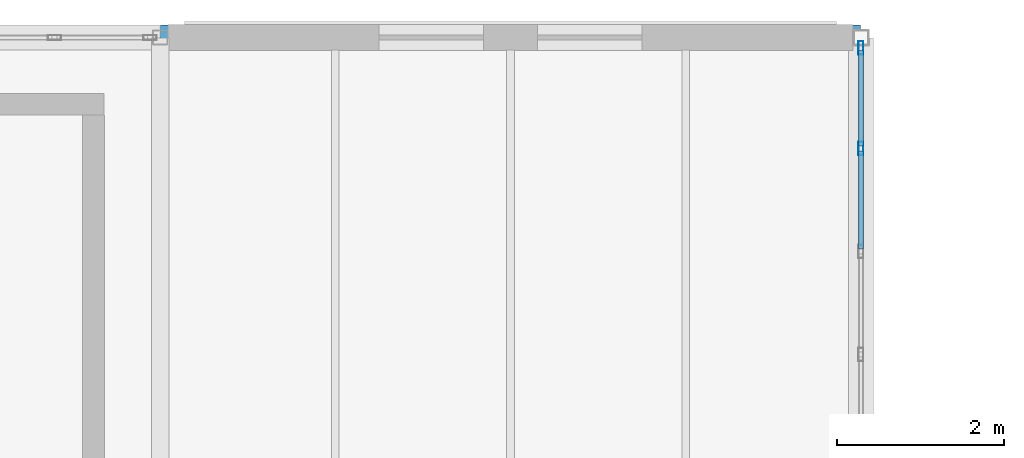
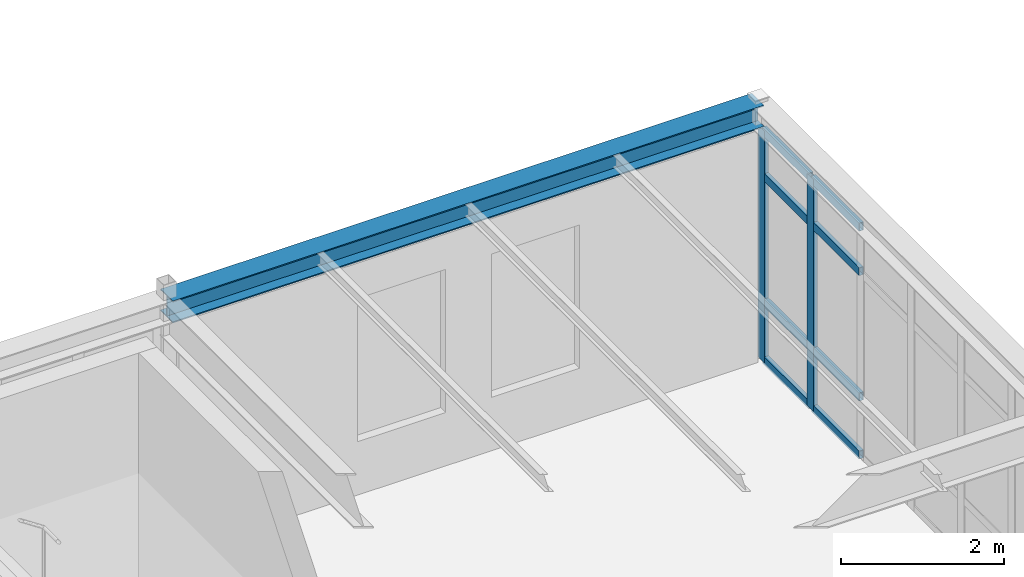
# One storey, part 28 of 65: 10 members, 1 beam, 1 element without a shape of its own.
"""IFC4 building model written with IfcOpenShell, lengths in metres."""

import ifcopenshell
import ifcopenshell.guid

model = None  # the IFC model being written
_history = None  # IfcOwnerHistory: only IFC2X3 demands one
_inside = {}  # id of a spatial element -> (the spatial element, [elements in it])
_under = {}  # id of a project, library or spatial element -> (it, [spatial elements below it])
_declared = {}  # id of a project -> (the project, [libraries it declares])
_typed = {}  # id of a type object -> (the type object, [elements of that type])
_made_of = {}  # id of a material, layer set ... -> (it, [elements and type objects made of it])


def new_model(schema):
    """Start an empty IFC model of exactly this schema.

    Asked for "IFC4X3", IfcOpenShell would pick the latest addendum, in which some entities
    have other attributes; the version numbers below select the first issue.
    IFC2X3 requires an IfcOwnerHistory on every rooted entity: one is made here for all.
    """
    global model, _history
    if schema == "IFC4X3":
        model = ifcopenshell.file(schema_version=(4, 3, 0, 0))
    else:
        model = ifcopenshell.file(schema=schema)
    _inside.clear()
    _under.clear()
    _declared.clear()
    _typed.clear()
    _made_of.clear()
    _history = None
    if model.schema == "IFC2X3":
        org = make("IfcOrganization", Name="unknown")
        user = make(
            "IfcPersonAndOrganization",
            ThePerson=make("IfcPerson", FamilyName="unknown"),
            TheOrganization=org,
        )
        app = make(
            "IfcApplication",
            ApplicationDeveloper=org,
            Version="unknown",
            ApplicationFullName="unknown",
            ApplicationIdentifier="unknown",
        )
        _history = make(
            "IfcOwnerHistory",
            OwningUser=user,
            OwningApplication=app,
            ChangeAction="ADDED",
            CreationDate=0,
        )
    return model


def make(cls, **values):
    """One entity of the class cls with the attributes given. An attribute that is None is left unset."""
    return model.create_entity(
        cls, **{name: value for name, value in values.items() if value is not None}
    )


def rooted(cls, **values):
    """An entity with a GlobalId (a new one), such as an element, a storey or a relation."""
    return make(cls, GlobalId=ifcopenshell.guid.new(), OwnerHistory=_history, **values)


def si_unit(unit_type, name, prefix=None):
    """IfcSIUnit, for example si_unit("LENGTHUNIT", "METRE", prefix="MILLI")."""
    return make("IfcSIUnit", UnitType=unit_type, Prefix=prefix, Name=name)


def assignment(units):
    """IfcUnitAssignment: the units of a project."""
    return None if units is None else make("IfcUnitAssignment", Units=units)


def point(xyz):
    """IfcCartesianPoint."""
    return None if xyz is None else make("IfcCartesianPoint", Coordinates=xyz)


def direction(xyz):
    """IfcDirection."""
    return None if xyz is None else make("IfcDirection", DirectionRatios=xyz)


def frame(location, z_axis=None, x_axis=None):
    """IfcAxis2Placement3D, a coordinate frame: its origin and axes. An axis left out is left unset."""
    return make(
        "IfcAxis2Placement3D",
        Location=point(location),
        Axis=direction(z_axis),
        RefDirection=direction(x_axis),
    )


def frame_2d(location, x_axis=None):
    """IfcAxis2Placement2D, a coordinate frame in the plane: its origin and x axis."""
    return make(
        "IfcAxis2Placement2D", Location=point(location), RefDirection=direction(x_axis)
    )


def origin():
    """The frame at (0, 0, 0) with its axes left unset."""
    return frame((0.0, 0.0, 0.0))


def origin_2d():
    """The frame at (0, 0) in the plane with its x axis left unset."""
    return frame_2d((0.0, 0.0))


def place(relative_to, where):
    """IfcLocalPlacement: puts the frame where relative to a parent placement (None: the world)."""
    return make(
        "IfcLocalPlacement", PlacementRelTo=relative_to, RelativePlacement=where
    )


def context(
    kind, dimensions, precision=None, world=None, true_north=None, identifier=None
):
    """IfcGeometricRepresentationContext, for example the 3D "Model" context."""
    return make(
        "IfcGeometricRepresentationContext",
        ContextIdentifier=identifier,
        ContextType=kind,
        CoordinateSpaceDimension=dimensions,
        Precision=precision,
        WorldCoordinateSystem=world,
        TrueNorth=true_north,
    )


def subcontext(parent, identifier, kind, view, scale=None):
    """IfcGeometricRepresentationSubContext, for example "Body" below "Model"."""
    return make(
        "IfcGeometricRepresentationSubContext",
        ContextIdentifier=identifier,
        ContextType=kind,
        ParentContext=parent,
        TargetScale=scale,
        TargetView=view,
    )


def project(units=None, contexts=None):
    """IfcProject with its units and contexts."""
    return rooted(
        "IfcProject",
        Name="project",
        RepresentationContexts=contexts,
        UnitsInContext=assignment(units),
    )


def spatial(cls, under=None, at=None, **own):
    """A site, building, storey or space (cls), placed at a placement, below another one or the project."""
    s = rooted(cls, ObjectPlacement=at, **own)
    if under is not None:
        _under.setdefault(under.id(), (under, []))[1].append(s)
    return s


def profile(cls, at=None, kind="AREA", **sizes):
    """A parametric profile (cls). Its sizes go by their IFC names, for example OverallWidth=200.0."""
    return make(cls, ProfileType=kind, Position=at, **sizes)


def hollow_rectangle(**sizes):
    """IfcRectangleHollowProfileDef."""
    return profile("IfcRectangleHollowProfileDef", **sizes)


def i_section(**sizes):
    """IfcIShapeProfileDef."""
    return profile("IfcIShapeProfileDef", **sizes)


def extrude(swept, where, along, depth):
    """IfcExtrudedAreaSolid: the profile swept, set in the frame where, extruded along a direction by depth."""
    return make(
        "IfcExtrudedAreaSolid",
        SweptArea=swept,
        Position=where,
        ExtrudedDirection=direction(along),
        Depth=depth,
    )


def shape(context_of_items, identifier, shape_type, items):
    """IfcShapeRepresentation: the items that make up one representation, for example the "Body"."""
    return make(
        "IfcShapeRepresentation",
        ContextOfItems=context_of_items,
        RepresentationIdentifier=identifier,
        RepresentationType=shape_type,
        Items=items,
    )


def material(Name=None, Category=None):
    """IfcMaterial."""
    return make("IfcMaterial", Name=Name, Category=Category)


def layer(
    of_material, thickness, ventilated=None, Name=None, Category=None, Priority=None
):
    """IfcMaterialLayer: one layer of a wall or slab, of a material (None: an air gap)."""
    return make(
        "IfcMaterialLayer",
        Material=of_material,
        LayerThickness=thickness,
        IsVentilated=ventilated,
        Name=Name,
        Category=Category,
        Priority=Priority,
    )


def layer_set(layers, Name=None):
    """IfcMaterialLayerSet."""
    return make("IfcMaterialLayerSet", MaterialLayers=layers, LayerSetName=Name)


def material_profile(
    of_material, cross_section, Name=None, Category=None, Priority=None
):
    """IfcMaterialProfile: a cross section and its material."""
    return make(
        "IfcMaterialProfile",
        Name=Name,
        Material=of_material,
        Profile=cross_section,
        Priority=Priority,
        Category=Category,
    )


def profile_set(profiles, Name=None, composite=None):
    """IfcMaterialProfileSet."""
    return make(
        "IfcMaterialProfileSet",
        Name=Name,
        MaterialProfiles=profiles,
        CompositeProfile=composite,
    )


def made_of(thing, what):
    """Note that an element or type object is made of a material, layer set ...; save() writes the relation."""
    if what is not None:
        _made_of.setdefault(what.id(), (what, []))[1].append(thing)
    return thing


def type_object(cls, material=None, **own):
    """A type object (cls), such as IfcWallType, which elements share."""
    return made_of(rooted(cls, **own), material)


def element(
    cls,
    number,
    at=None,
    inside=None,
    cuts=None,
    type_object=None,
    material=None,
    context=None,
    identifier="Body",
    shape_type=None,
    held_by="IfcProductDefinitionShape",
    body=None,
    shapes=None,
    **own,
):
    """One element of the class cls, such as IfcWall. Its Tag is "e" and its number.

    at: its placement. inside: the storey or other place that contains it. cuts: it is an
    opening in that element (IfcRelVoidsElement). A single representation is given by context,
    identifier, shape_type and body (its items); several are given by shapes. held_by: the class
    of the entity that holds the representations. save() writes the other relations.
    """
    e = rooted(cls, Tag="e%d" % number, ObjectPlacement=at, **own)
    if body is not None:
        shapes = [shape(context, identifier, shape_type, body)]
    if shapes is not None:
        e.Representation = make(held_by, Representations=shapes)
    if inside is not None:
        _inside.setdefault(inside.id(), (inside, []))[1].append(e)
    if cuts is not None:
        rooted(
            "IfcRelVoidsElement", RelatingBuildingElement=cuts, RelatedOpeningElement=e
        )
    if type_object is not None:
        _typed.setdefault(type_object.id(), (type_object, []))[1].append(e)
    return made_of(e, material)


def aggregate(whole, parts):
    """IfcRelAggregates: a whole, such as a stair, and the parts it consists of."""
    return rooted("IfcRelAggregates", RelatingObject=whole, RelatedObjects=parts)


def save(model, path):
    """Write the relations noted so far, then the file.

    IfcRelAggregates (storeys below a building ...), IfcRelContainedInSpatialStructure (elements
    in a storey), IfcRelDefinesByType, IfcRelAssociatesMaterial and IfcRelDeclares: one each for
    every whole, place, type object, material and project.
    """
    for whole, parts in _under.values():
        aggregate(whole, parts)
    for where, things in _inside.values():
        rooted(
            "IfcRelContainedInSpatialStructure",
            RelatedElements=things,
            RelatingStructure=where,
        )
    for kind, things in _typed.values():
        rooted("IfcRelDefinesByType", RelatedObjects=things, RelatingType=kind)
    for what, things in _made_of.values():
        rooted("IfcRelAssociatesMaterial", RelatedObjects=things, RelatingMaterial=what)
    for by, libraries in _declared.values():
        rooted("IfcRelDeclares", RelatingContext=by, RelatedDefinitions=libraries)
    model.write(path)


model = new_model("IFC4")

# Units and contexts
model_context = context("Model", 3, precision=1e-05, world=origin(), true_north=direction((0.0, 1.0)))
body_context = subcontext(model_context, "Body", "Model", "MODEL_VIEW")
ifc_project = project(units=[si_unit("LENGTHUNIT", "METRE"), si_unit("AREAUNIT", "SQUARE_METRE"), si_unit("VOLUMEUNIT", "CUBIC_METRE"), si_unit("PLANEANGLEUNIT", "RADIAN"), si_unit("MASSUNIT", "GRAM", prefix="KILO")], contexts=[model_context])

# Site, building, storey
site_placement = place(None, origin())
site = spatial("IfcSite", under=ifc_project, at=site_placement, CompositionType="ELEMENT")
building_placement = place(site_placement, origin())
building = spatial("IfcBuilding", under=site, at=building_placement, Name="Montecoro Central Library", CompositionType="ELEMENT")
storey_placement = place(building_placement, frame((0.0, 0.0, 17.340087890625)))
storey = spatial("IfcBuildingStorey", under=building, at=storey_placement, Name="L04", CompositionType="ELEMENT", Elevation=17.340087890625)

# Beam
ifc_material_1 = material(Name="Steel S355", Category="steel")
ifc_material_profile_1 = material_profile(ifc_material_1, i_section(OverallWidth=0.300048828125, OverallDepth=0.330078125, WebThickness=0.009521484375, FlangeThickness=0.0166015625, at=origin_2d()), Name="HEA 340")
ifc_profile_set_1 = profile_set([ifc_material_profile_1], Name="Steel S355")
beam_type = type_object("IfcBeamType", Name="BM-SP-HEA340", PredefinedType="SPANDREL", material=ifc_profile_set_1)
beam_placement = place(storey_placement, frame((108.405029296875, 119.0, 3.659912109375), z_axis=(1.0, 0.0, 0.0), x_axis=(0.0, 1.0, 0.0)))
element("IfcBeam", 1, at=beam_placement, inside=storey, type_object=beam_type, Name="V2-L04-BX-1415-R", PredefinedType="SPANDREL", context=body_context, shape_type="SweptSolid", body=[
    extrude(i_section(OverallWidth=0.300048828125, OverallDepth=0.330078125, WebThickness=0.009521484375, FlangeThickness=0.0166015625, at=origin_2d()), origin(), (0.0, 0.0, 1.0), 8.389892578125),
])

# Curtain wall, members
ifc_material_2 = material(Name="Bronze-anodised aluminium and low-E glazing", Category="aluminium")
ifc_layer = layer(ifc_material_2, 0.159912109375)
ifc_layer_set = layer_set([ifc_layer], Name="Bronze-anodised aluminium and low-E glazing")
curtain_wall_type = type_object("IfcCurtainWallType", Name="CWT-021", PredefinedType="NOTDEFINED", material=ifc_layer_set)
curtain_wall_placement = place(storey_placement, origin())
curtain_wall = element("IfcCurtainWall", 2, at=curtain_wall_placement, inside=storey, type_object=curtain_wall_type, Name="V2-L04-CW-E2", PredefinedType="NOTDEFINED")
ifc_material_3 = material(Name="Bronze-anodised aluminium", Category="aluminium")
ifc_material_profile_2 = material_profile(ifc_material_3, hollow_rectangle(XDim=0.06005859375, YDim=0.159912109375, WallThickness=0.00390625, at=origin_2d()), Name="CWM 160x60x4.0")
ifc_profile_set_2 = profile_set([ifc_material_profile_2], Name="Bronze-anodised aluminium")
member_type_1 = type_object("IfcMemberType", Name="CWM-BRZ-60", PredefinedType="MULLION", material=ifc_profile_set_2)
member_1_placement = place(storey_placement, frame((116.800048828125, 117.67138671875, 0.0), z_axis=(0.0, 0.0, 1.0), x_axis=(-1.0, 0.0, 0.0)))
member_1 = element("IfcMember", 3, at=member_1_placement, type_object=member_type_1, Name="CW-021 mullion 6", PredefinedType="MULLION", context=body_context, shape_type="SweptSolid", body=[
    extrude(hollow_rectangle(XDim=0.06005859375, YDim=0.159912109375, WallThickness=0.00390625, at=origin_2d()), origin(), (0.0, 0.0, 1.0), 3.47998046875),
])
member_2_placement = place(storey_placement, frame((116.800048828125, 118.876953125, 0.0), z_axis=(0.0, 0.0, 1.0), x_axis=(-1.0, 0.0, 0.0)))
member_2 = element("IfcMember", 4, at=member_2_placement, type_object=member_type_1, Name="CW-021 mullion 7", PredefinedType="MULLION", context=body_context, shape_type="SweptSolid", body=[
    extrude(hollow_rectangle(XDim=0.06005859375, YDim=0.159912109375, WallThickness=0.00390625, at=origin_2d()), origin(), (0.0, 0.0, 1.0), 3.47998046875),
])
ifc_material_profile_3 = material_profile(ifc_material_3, hollow_rectangle(XDim=0.06005859375, YDim=0.1201171875, WallThickness=0.00390625, at=origin_2d()), Name="CWT 120x60x4.0")
ifc_profile_set_3 = profile_set([ifc_material_profile_3], Name="Bronze-anodised aluminium")
member_type_2 = type_object("IfcMemberType", Name="CWT-BRZ-60", PredefinedType="USERDEFINED", material=ifc_profile_set_3)
member_3_placement = place(storey_placement, frame((116.800048828125, 116.465576171875, 0.030029296875), z_axis=(0.0, 1.0, 0.0), x_axis=(-1.0, 0.0, 0.0)))
member_3 = element("IfcMember", 5, at=member_3_placement, type_object=member_type_2, Name="CW-021 transom 5.1", ObjectType="TRANSOM", PredefinedType="USERDEFINED", context=body_context, shape_type="SweptSolid", body=[
    extrude(hollow_rectangle(XDim=0.06005859375, YDim=0.1201171875, WallThickness=0.00390625, at=origin_2d()), origin(), (0.0, 0.0, 1.0), 1.17578125),
])
member_4_placement = place(storey_placement, frame((116.800048828125, 116.465576171875, 0.89990234375), z_axis=(0.0, 1.0, 0.0), x_axis=(-1.0, 0.0, 0.0)))
member_4 = element("IfcMember", 6, at=member_4_placement, type_object=member_type_2, Name="CW-021 transom 5.2", ObjectType="TRANSOM", PredefinedType="USERDEFINED", context=body_context, shape_type="SweptSolid", body=[
    extrude(hollow_rectangle(XDim=0.06005859375, YDim=0.1201171875, WallThickness=0.00390625, at=origin_2d()), origin(), (0.0, 0.0, 1.0), 1.17578125),
])
member_5_placement = place(storey_placement, frame((116.800048828125, 116.465576171875, 2.780029296875), z_axis=(0.0, 1.0, 0.0), x_axis=(-1.0, 0.0, 0.0)))
member_5 = element("IfcMember", 7, at=member_5_placement, type_object=member_type_2, Name="CW-021 transom 5.3", ObjectType="TRANSOM", PredefinedType="USERDEFINED", context=body_context, shape_type="SweptSolid", body=[
    extrude(hollow_rectangle(XDim=0.06005859375, YDim=0.1201171875, WallThickness=0.00390625, at=origin_2d()), origin(), (0.0, 0.0, 1.0), 1.17578125),
])
member_6_placement = place(storey_placement, frame((116.800048828125, 116.465576171875, 3.449951171875), z_axis=(0.0, 1.0, 0.0), x_axis=(-1.0, 0.0, 0.0)))
member_6 = element("IfcMember", 8, at=member_6_placement, type_object=member_type_2, Name="CW-021 transom 5.4", ObjectType="TRANSOM", PredefinedType="USERDEFINED", context=body_context, shape_type="SweptSolid", body=[
    extrude(hollow_rectangle(XDim=0.06005859375, YDim=0.1201171875, WallThickness=0.00390625, at=origin_2d()), origin(), (0.0, 0.0, 1.0), 1.17578125),
])
member_7_placement = place(storey_placement, frame((116.800048828125, 117.701416015625, 0.030029296875), z_axis=(0.0, 1.0, 0.0), x_axis=(-1.0, 0.0, 0.0)))
member_7 = element("IfcMember", 9, at=member_7_placement, type_object=member_type_2, Name="CW-021 transom 6.1", ObjectType="TRANSOM", PredefinedType="USERDEFINED", context=body_context, shape_type="SweptSolid", body=[
    extrude(hollow_rectangle(XDim=0.06005859375, YDim=0.1201171875, WallThickness=0.00390625, at=origin_2d()), origin(), (0.0, 0.0, 1.0), 1.1455078125),
])
member_8_placement = place(storey_placement, frame((116.800048828125, 117.701416015625, 0.89990234375), z_axis=(0.0, 1.0, 0.0), x_axis=(-1.0, 0.0, 0.0)))
member_8 = element("IfcMember", 10, at=member_8_placement, type_object=member_type_2, Name="CW-021 transom 6.2", ObjectType="TRANSOM", PredefinedType="USERDEFINED", context=body_context, shape_type="SweptSolid", body=[
    extrude(hollow_rectangle(XDim=0.06005859375, YDim=0.1201171875, WallThickness=0.00390625, at=origin_2d()), origin(), (0.0, 0.0, 1.0), 1.1455078125),
])
member_9_placement = place(storey_placement, frame((116.800048828125, 117.701416015625, 2.780029296875), z_axis=(0.0, 1.0, 0.0), x_axis=(-1.0, 0.0, 0.0)))
member_9 = element("IfcMember", 11, at=member_9_placement, type_object=member_type_2, Name="CW-021 transom 6.3", ObjectType="TRANSOM", PredefinedType="USERDEFINED", context=body_context, shape_type="SweptSolid", body=[
    extrude(hollow_rectangle(XDim=0.06005859375, YDim=0.1201171875, WallThickness=0.00390625, at=origin_2d()), origin(), (0.0, 0.0, 1.0), 1.1455078125),
])
member_10_placement = place(storey_placement, frame((116.800048828125, 117.701416015625, 3.449951171875), z_axis=(0.0, 1.0, 0.0), x_axis=(-1.0, 0.0, 0.0)))
member_10 = element("IfcMember", 12, at=member_10_placement, type_object=member_type_2, Name="CW-021 transom 6.4", ObjectType="TRANSOM", PredefinedType="USERDEFINED", context=body_context, shape_type="SweptSolid", body=[
    extrude(hollow_rectangle(XDim=0.06005859375, YDim=0.1201171875, WallThickness=0.00390625, at=origin_2d()), origin(), (0.0, 0.0, 1.0), 1.1455078125),
])
aggregate(curtain_wall, [member_1, member_2, member_3, member_4, member_5, member_6, member_7, member_8, member_9, member_10])

save(model, "model.ifc")
